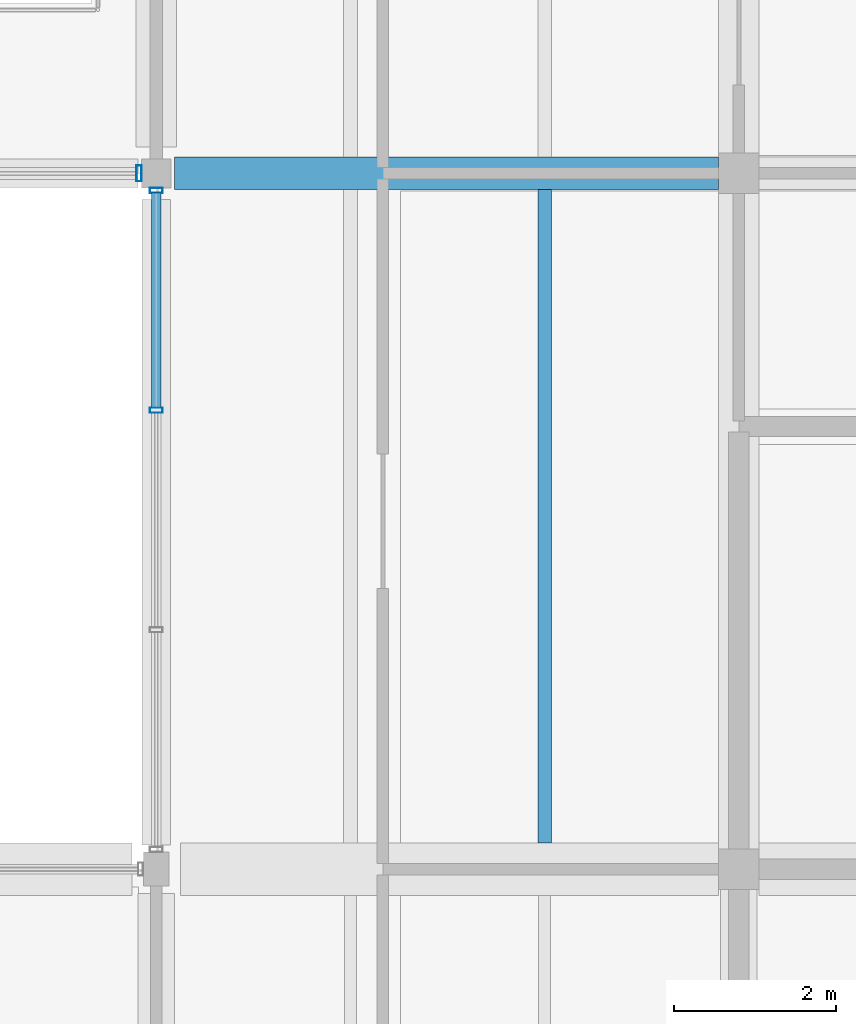
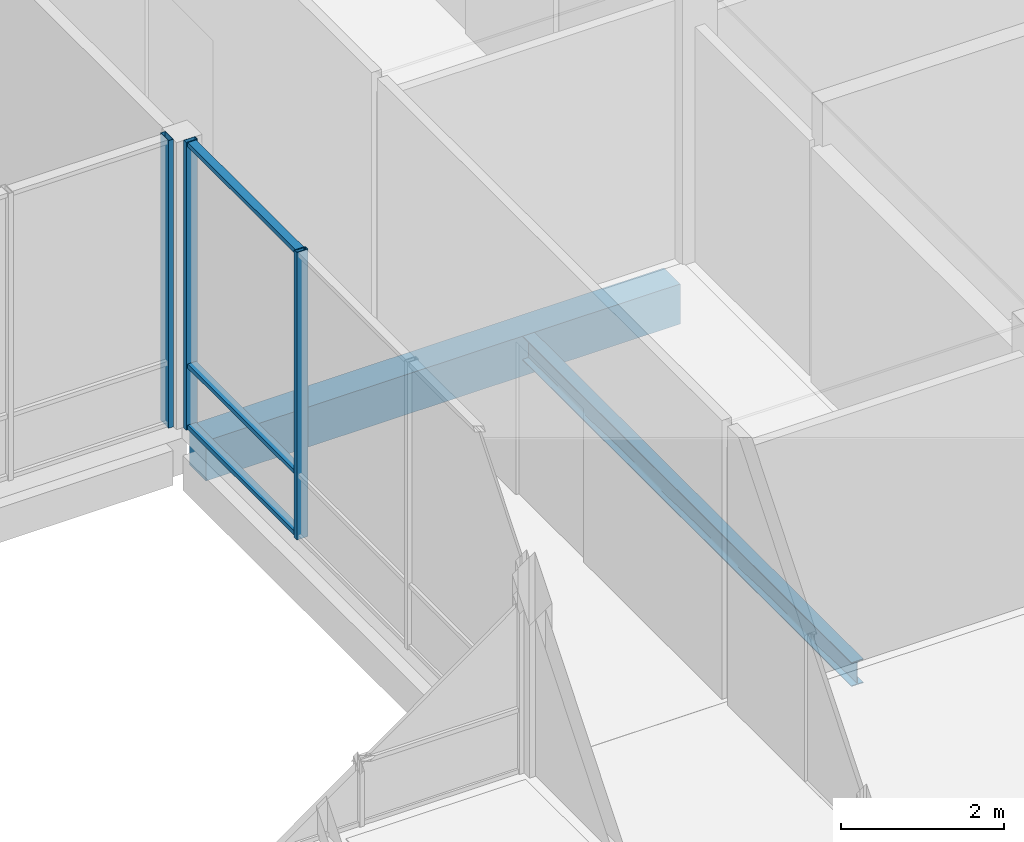
# One storey, part 72 of 146: 6 members, 2 beams, 2 elements without a shape of their own.
"""IFC4 building model written with IfcOpenShell, lengths in metres."""

from ifc_helpers import new_model, si_unit, direction, frame, origin, origin_2d, place, context, subcontext, project, spatial, rectangle, hollow_rectangle, i_section, extrude, material, material_profile, profile_set, type_object, element, aggregate, save


model = new_model("IFC4")

# Units and contexts
model_context = context("Model", 3, precision=1e-05, world=origin(), true_north=direction((0.0, 1.0)))
body_context = subcontext(model_context, "Body", "Model", "MODEL_VIEW")
ifc_project = project(units=[si_unit("LENGTHUNIT", "METRE"), si_unit("AREAUNIT", "SQUARE_METRE"), si_unit("VOLUMEUNIT", "CUBIC_METRE"), si_unit("PLANEANGLEUNIT", "RADIAN"), si_unit("MASSUNIT", "GRAM", prefix="KILO")], contexts=[model_context])

# Site, building, storey
site_placement = place(None, origin())
site = spatial("IfcSite", under=ifc_project, at=site_placement, CompositionType="ELEMENT")
building_placement = place(site_placement, origin())
building = spatial("IfcBuilding", under=site, at=building_placement, Name="Hawrajan Terrace Health Centre", CompositionType="ELEMENT")
storey_placement = place(building_placement, frame((0.0, 0.0, 4.5)))
storey = spatial("IfcBuildingStorey", under=building, at=storey_placement, Name="L01", CompositionType="ELEMENT", Elevation=4.5)

# Curtain wall, members
ifc_material_1 = material(Name="Anodized bronze aluminium and low-E solar glazing", Category="aluminium")
curtain_wall_type_1 = type_object("IfcCurtainWallType", Name="CW_Court_SeriesB3", PredefinedType="USERDEFINED", material=ifc_material_1)
curtain_wall_1_placement = place(storey_placement, origin())
curtain_wall_1 = element("IfcCurtainWall", 1, at=curtain_wall_1_placement, inside=storey, type_object=curtain_wall_type_1, Name="Curtain wall CW-L01-102", ObjectType="UNITISED CURTAIN WALL", PredefinedType="USERDEFINED")
ifc_material_2 = material(Name="Anodized bronze aluminium 6063-T6", Category="aluminium")
ifc_material_profile_1 = material_profile(ifc_material_2, hollow_rectangle(XDim=0.06494140625, YDim=0.159912109375, WallThickness=0.00390625, at=origin_2d()), Name="CW MUL 65x160")
ifc_profile_set_1 = profile_set([ifc_material_profile_1], Name="Anodized bronze aluminium 6063-T6")
member_type_1 = type_object("IfcMemberType", Name="CWMullion_65x160", PredefinedType="MULLION", material=ifc_profile_set_1)
member_1_placement = place(storey_placement, frame((107.800048828125, 24.2724609375, -0.0048828125), z_axis=(0.0, 0.0, 1.0), x_axis=(0.0, 1.0, 0.0)))
member_1 = element("IfcMember", 2, at=member_1_placement, type_object=member_type_1, Name="Mullion CW-L01-102-M3", PredefinedType="MULLION", context=body_context, shape_type="SweptSolid", body=[
    extrude(hollow_rectangle(XDim=0.06494140625, YDim=0.159912109375, WallThickness=0.00390625, at=origin_2d()), origin(), (0.0, 0.0, 1.0), 4.309814453125),
])
member_2_placement = place(storey_placement, frame((107.800048828125, 26.987548828125, -0.0048828125), z_axis=(0.0, 0.0, 1.0), x_axis=(0.0, 1.0, 0.0)))
member_2 = element("IfcMember", 3, at=member_2_placement, type_object=member_type_1, Name="Mullion CW-L01-102-M4", PredefinedType="MULLION", context=body_context, shape_type="SweptSolid", body=[
    extrude(hollow_rectangle(XDim=0.06494140625, YDim=0.159912109375, WallThickness=0.00390625, at=origin_2d()), origin(), (0.0, 0.0, 1.0), 4.309814453125),
])

# Curtain wall, member
curtain_wall_type_2 = type_object("IfcCurtainWallType", Name="CW_Court_SeriesB1", PredefinedType="USERDEFINED", material=ifc_material_1)
curtain_wall_2_placement = place(storey_placement, origin())
curtain_wall_2 = element("IfcCurtainWall", 4, at=curtain_wall_2_placement, inside=storey, type_object=curtain_wall_type_2, Name="Curtain wall CW-L01-100", ObjectType="UNITISED CURTAIN WALL", PredefinedType="USERDEFINED")
ifc_material_profile_2 = material_profile(ifc_material_2, hollow_rectangle(XDim=0.06494140625, YDim=0.199951171875, WallThickness=0.00439453125, at=origin_2d()), Name="CW MUL 65x200")
ifc_profile_set_2 = profile_set([ifc_material_profile_2], Name="Anodized bronze aluminium 6063-T6")
member_type_2 = type_object("IfcMemberType", Name="CWMullion_65x200", PredefinedType="MULLION", material=ifc_profile_set_2)
member_3_placement = place(storey_placement, frame((107.58740234375, 27.199951171875, -0.0048828125), z_axis=(0.0, 0.0, 1.0), x_axis=(1.0, 0.0, 0.0)))
member_3 = element("IfcMember", 5, at=member_3_placement, type_object=member_type_2, Name="Mullion CW-L01-100-M4", PredefinedType="MULLION", context=body_context, shape_type="SweptSolid", body=[
    extrude(hollow_rectangle(XDim=0.06494140625, YDim=0.199951171875, WallThickness=0.00439453125, at=origin_2d()), origin(), (0.0, 0.0, 1.0), 4.309814453125),
])
aggregate(curtain_wall_2, [member_3])

# Member
ifc_material_profile_3 = material_profile(ifc_material_2, hollow_rectangle(XDim=0.06494140625, YDim=0.1201171875, WallThickness=0.00341796875, at=origin_2d()), Name="CW TRN 65x120")
ifc_profile_set_3 = profile_set([ifc_material_profile_3], Name="Anodized bronze aluminium 6063-T6")
member_type_3 = type_object("IfcMemberType", Name="CWTransom_65x120", PredefinedType="USERDEFINED", material=ifc_profile_set_3)
member_4_placement = place(storey_placement, frame((107.800048828125, 24.299072265625, 0.032470703125), z_axis=(0.0, 1.0, 0.0), x_axis=(0.0, 0.0, 1.0)))
member_4 = element("IfcMember", 6, at=member_4_placement, type_object=member_type_3, Name="Transom CW-L01-102-T3-1", ObjectType="TRANSOM", PredefinedType="USERDEFINED", context=body_context, shape_type="SweptSolid", body=[
    extrude(hollow_rectangle(XDim=0.06494140625, YDim=0.1201171875, WallThickness=0.00341796875, at=origin_2d()), origin(), (0.0, 0.0, 1.0), 2.661865234375),
])

member_5_placement = place(storey_placement, frame((107.800048828125, 24.299072265625, 0.949951171875), z_axis=(0.0, 1.0, 0.0), x_axis=(0.0, 0.0, 1.0)))
member_5 = element("IfcMember", 7, at=member_5_placement, type_object=member_type_3, Name="Transom CW-L01-102-T3-2", ObjectType="TRANSOM", PredefinedType="USERDEFINED", context=body_context, shape_type="SweptSolid", body=[
    extrude(hollow_rectangle(XDim=0.06494140625, YDim=0.1201171875, WallThickness=0.00341796875, at=origin_2d()), origin(), (0.0, 0.0, 1.0), 2.661865234375),
])

member_6_placement = place(storey_placement, frame((107.800048828125, 24.299072265625, 4.267578125), z_axis=(0.0, 1.0, 0.0), x_axis=(0.0, 0.0, 1.0)))
member_6 = element("IfcMember", 8, at=member_6_placement, type_object=member_type_3, Name="Transom CW-L01-102-T3-3", ObjectType="TRANSOM", PredefinedType="USERDEFINED", context=body_context, shape_type="SweptSolid", body=[
    extrude(hollow_rectangle(XDim=0.06494140625, YDim=0.1201171875, WallThickness=0.00341796875, at=origin_2d()), origin(), (0.0, 0.0, 1.0), 2.661865234375),
])

aggregate(curtain_wall_1, [member_1, member_2, member_4, member_5, member_6])

# Beams
ifc_material_3 = material(Name="Concrete C40/50", Category="concrete")
ifc_material_profile_4 = material_profile(ifc_material_3, rectangle(XDim=0.39990234375, YDim=0.60009765625, at=origin_2d()), Name="RC BM 400x600")
ifc_profile_set_4 = profile_set([ifc_material_profile_4], Name="Concrete C40/50")
beam_type_1 = type_object("IfcBeamType", Name="RCGirder_400x600", PredefinedType="BEAM", material=ifc_profile_set_4)
beam_1_placement = place(storey_placement, frame((108.02490234375, 27.199951171875, -0.60009765625), z_axis=(1.0, 0.0, 0.0), x_axis=(0.0, 1.0, 0.0)))
element("IfcBeam", 9, at=beam_1_placement, inside=storey, type_object=beam_type_1, Name="Beam BM-X-L01-C-14-Y4", PredefinedType="BEAM", context=body_context, shape_type="SweptSolid", body=[
    extrude(rectangle(XDim=0.39990234375, YDim=0.60009765625, at=origin_2d()), origin(), (0.0, 0.0, 1.0), 6.72509765625),
])
ifc_material_4 = material(Name="Steel S355", Category="steel")
ifc_material_profile_5 = material_profile(ifc_material_4, i_section(OverallWidth=0.169921875, OverallDepth=0.360107421875, WebThickness=0.008056640625, FlangeThickness=0.0126953125, FilletRadius=0.01806640625, at=origin_2d()), Name="IPE 360")
ifc_profile_set_5 = profile_set([ifc_material_profile_5], Name="Steel S355")
beam_type_2 = type_object("IfcBeamType", Name="SteelBeam_IPE360", PredefinedType="BEAM", material=ifc_profile_set_5)
beam_2_placement = place(storey_placement, frame((112.60009765625, 18.925048828125, -0.47998046875), z_axis=(0.0, 1.0, 0.0), x_axis=(-1.0, 0.0, 0.0)))
element("IfcBeam", 10, at=beam_2_placement, inside=storey, type_object=beam_type_2, Name="Secondary joist JST-L01-C-14-3-2", PredefinedType="BEAM", context=body_context, shape_type="SweptSolid", body=[
    extrude(i_section(OverallWidth=0.169921875, OverallDepth=0.360107421875, WebThickness=0.008056640625, FlangeThickness=0.0126953125, FilletRadius=0.01806640625, at=origin_2d()), origin(), (0.0, 0.0, 1.0), 8.074951171875),
])

save(model, "model.ifc")
